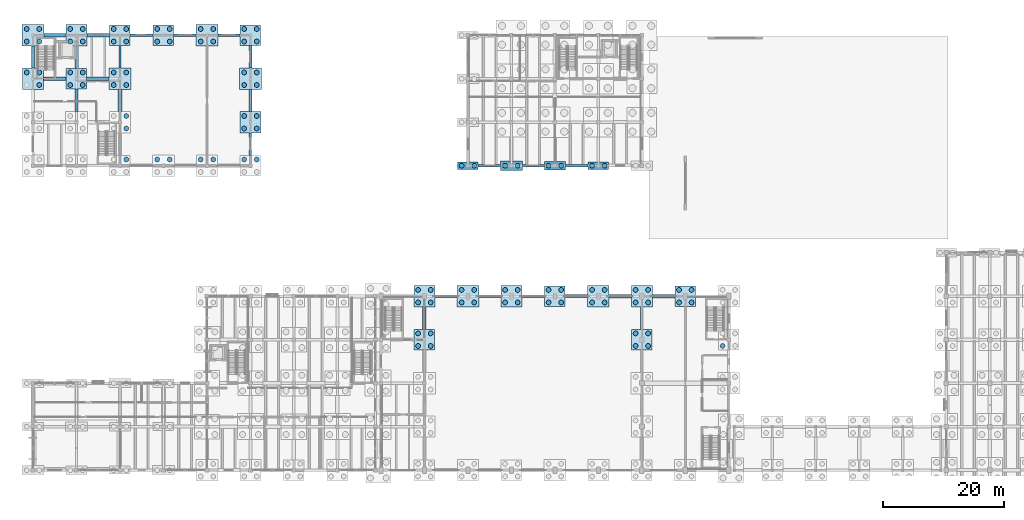
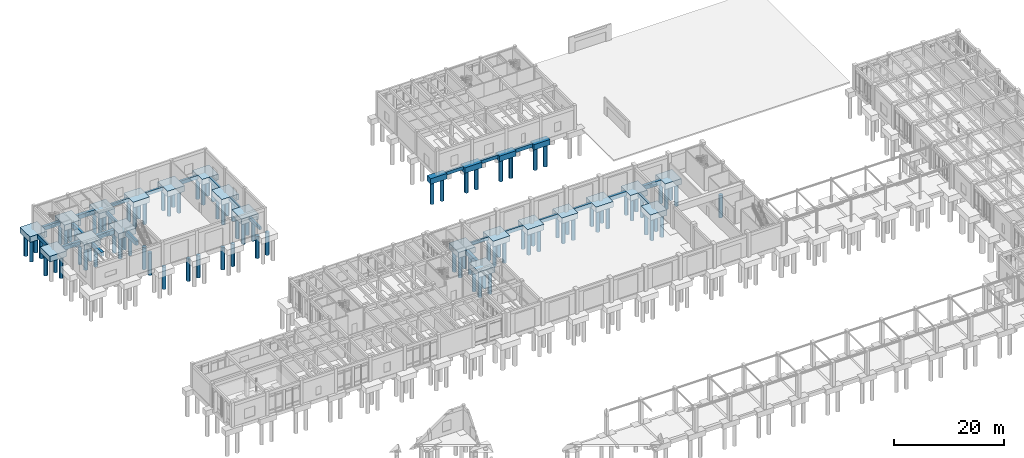
# One storey, part 6 of 93: 97 piles, 50 footings.
"""IFC4 building model written with IfcOpenShell, lengths in metres."""

from ifc_helpers import new_model, si_unit, direction, frame, origin, origin_2d, place, context, subcontext, project, spatial, rectangle, circle, extrude, material, material_profile, profile_set, type_object, element, save


model = new_model("IFC4")

# Units and contexts
model_context = context("Model", 3, precision=1e-05, world=origin(), true_north=direction((0.0, 1.0)))
body_context = subcontext(model_context, "Body", "Model", "MODEL_VIEW")
ifc_project = project(units=[si_unit("LENGTHUNIT", "METRE"), si_unit("AREAUNIT", "SQUARE_METRE"), si_unit("VOLUMEUNIT", "CUBIC_METRE"), si_unit("PLANEANGLEUNIT", "RADIAN"), si_unit("MASSUNIT", "GRAM", prefix="KILO")], contexts=[model_context])

# Site, building, storey
site_placement = place(None, origin())
site = spatial("IfcSite", under=ifc_project, at=site_placement, CompositionType="ELEMENT")
building_placement = place(site_placement, origin())
building = spatial("IfcBuilding", under=site, at=building_placement, Name="Koriwan Promenade Central Fire Station", CompositionType="ELEMENT")
storey_placement = place(building_placement, origin())
storey = spatial("IfcBuildingStorey", under=building, at=storey_placement, Name="L00", CompositionType="ELEMENT", Elevation=0.0)

# Piles
ifc_material = material(Name="Concrete C35/45", Category="concrete")
ifc_material_profile = material_profile(ifc_material, circle(Radius=0.39990234375, at=origin_2d()), Name="PILE-D800")
ifc_profile_set = profile_set([ifc_material_profile], Name="Concrete C35/45")
pile_type = type_object("IfcPileType", Name="BoredPile_800", PredefinedType="BORED", material=ifc_profile_set)
for number, where, z_axis, x_axis, name in (
    (1, (-1.0400390625, 109.0400390625, -1.10009765625), (0.0, 0.0, -1.0), (1.0, 0.0, 0.0), "Bored pile PCAP_010-12"),
    (2, (1.0400390625, 106.9599609375, -1.10009765625), (0.0, 0.0, -1.0), (1.0, 0.0, 0.0), "Bored pile PCAP_010-21"),
    (3, (1.0400390625, 109.0400390625, -1.10009765625), (0.0, 0.0, -1.0), (1.0, 0.0, 0.0), "Bored pile PCAP_010-22"),
    (4, (-1.0400390625, 114.159912109375, -1.10009765625), (0.0, 0.0, -1.0), (1.0, 0.0, 0.0), "Bored pile PCAP_011-11"),
    (5, (-1.0400390625, 116.239990234375, -1.10009765625), (0.0, 0.0, -1.0), (1.0, 0.0, 0.0), "Bored pile PCAP_011-12"),
    (6, (1.0400390625, 114.159912109375, -1.10009765625), (0.0, 0.0, -1.0), (1.0, 0.0, 0.0), "Bored pile PCAP_011-21"),
    (7, (1.0400390625, 116.239990234375, -1.10009765625), (0.0, 0.0, -1.0), (1.0, 0.0, 0.0), "Bored pile PCAP_011-22"),
    (8, (6.159912109375, 106.9599609375, -1.10009765625), (0.0, 0.0, -1.0), (1.0, 0.0, 0.0), "Bored pile PCAP_021-11"),
    (9, (6.159912109375, 109.0400390625, -1.10009765625), (0.0, 0.0, -1.0), (1.0, 0.0, 0.0), "Bored pile PCAP_021-12"),
    (10, (8.239990234375, 106.9599609375, -1.10009765625), (0.0, 0.0, -1.0), (1.0, 0.0, 0.0), "Bored pile PCAP_021-21"),
    (11, (8.239990234375, 109.0400390625, -1.10009765625), (0.0, 0.0, -1.0), (1.0, 0.0, 0.0), "Bored pile PCAP_021-22"),
    (12, (6.159912109375, 114.159912109375, -1.10009765625), (0.0, 0.0, -1.0), (1.0, 0.0, 0.0), "Bored pile PCAP_022-11"),
    (13, (6.159912109375, 116.239990234375, -1.10009765625), (0.0, 0.0, -1.0), (1.0, 0.0, 0.0), "Bored pile PCAP_022-12"),
    (14, (8.239990234375, 114.159912109375, -1.10009765625), (0.0, 0.0, -1.0), (1.0, 0.0, 0.0), "Bored pile PCAP_022-21"),
    (15, (8.239990234375, 116.239990234375, -1.10009765625), (0.0, 0.0, -1.0), (1.0, 0.0, 0.0), "Bored pile PCAP_022-22"),
    (16, (15.43994140625, 94.639892578125, -1.10009765625), (0.0, 0.0, -1.0), (1.0, 0.0, 0.0), "Bored pile PCAP_030-22"),
    (17, (15.43994140625, 99.760009765625, -1.10009765625), (0.0, 0.0, -1.0), (1.0, 0.0, 0.0), "Bored pile PCAP_031-21"),
    (18, (15.43994140625, 101.840087890625, -1.10009765625), (0.0, 0.0, -1.0), (1.0, 0.0, 0.0), "Bored pile PCAP_031-22"),
    (19, (13.360107421875, 106.9599609375, -1.10009765625), (0.0, 0.0, -1.0), (1.0, 0.0, 0.0), "Bored pile PCAP_032-11"),
    (20, (13.360107421875, 109.0400390625, -1.10009765625), (0.0, 0.0, -1.0), (1.0, 0.0, 0.0), "Bored pile PCAP_032-12"),
    (21, (15.43994140625, 106.9599609375, -1.10009765625), (0.0, 0.0, -1.0), (1.0, 0.0, 0.0), "Bored pile PCAP_032-21"),
    (22, (15.43994140625, 109.0400390625, -1.10009765625), (0.0, 0.0, -1.0), (1.0, 0.0, 0.0), "Bored pile PCAP_032-22"),
    (23, (13.360107421875, 114.159912109375, -1.10009765625), (0.0, 0.0, -1.0), (1.0, 0.0, 0.0), "Bored pile PCAP_033-11"),
    (24, (13.360107421875, 116.239990234375, -1.10009765625), (0.0, 0.0, -1.0), (1.0, 0.0, 0.0), "Bored pile PCAP_033-12"),
    (25, (15.43994140625, 114.159912109375, -1.10009765625), (0.0, 0.0, -1.0), (1.0, 0.0, 0.0), "Bored pile PCAP_033-21"),
    (26, (15.43994140625, 116.239990234375, -1.10009765625), (0.0, 0.0, -1.0), (1.0, 0.0, 0.0), "Bored pile PCAP_033-22"),
    (27, (20.56005859375, 94.639892578125, -1.10009765625), (0.0, 0.0, -1.0), (1.0, 0.0, 0.0), "Bored pile PCAP_041-12"),
    (28, (22.639892578125, 94.639892578125, -1.10009765625), (0.0, 0.0, -1.0), (1.0, 0.0, 0.0), "Bored pile PCAP_041-22"),
    (29, (20.56005859375, 114.159912109375, -1.10009765625), (0.0, 0.0, -1.0), (1.0, 0.0, 0.0), "Bored pile PCAP_042-11"),
    (30, (20.56005859375, 116.239990234375, -1.10009765625), (0.0, 0.0, -1.0), (1.0, 0.0, 0.0), "Bored pile PCAP_042-12"),
    (31, (22.639892578125, 114.159912109375, -1.10009765625), (0.0, 0.0, -1.0), (1.0, 0.0, 0.0), "Bored pile PCAP_042-21"),
    (32, (22.639892578125, 116.239990234375, -1.10009765625), (0.0, 0.0, -1.0), (1.0, 0.0, 0.0), "Bored pile PCAP_042-22"),
    (33, (27.760009765625, 94.639892578125, -1.10009765625), (0.0, 0.0, -1.0), (1.0, 0.0, 0.0), "Bored pile PCAP_052-12"),
    (34, (29.840087890625, 94.639892578125, -1.10009765625), (0.0, 0.0, -1.0), (1.0, 0.0, 0.0), "Bored pile PCAP_052-22"),
    (35, (27.760009765625, 114.159912109375, -1.10009765625), (0.0, 0.0, -1.0), (1.0, 0.0, 0.0), "Bored pile PCAP_053-11"),
    (36, (27.760009765625, 116.239990234375, -1.10009765625), (0.0, 0.0, -1.0), (1.0, 0.0, 0.0), "Bored pile PCAP_053-12"),
    (37, (29.840087890625, 114.159912109375, -1.10009765625), (0.0, 0.0, -1.0), (1.0, 0.0, 0.0), "Bored pile PCAP_053-21"),
    (38, (29.840087890625, 116.239990234375, -1.10009765625), (0.0, 0.0, -1.0), (1.0, 0.0, 0.0), "Bored pile PCAP_053-22"),
    (39, (34.9599609375, 94.639892578125, -1.10009765625), (0.0, 0.0, -1.0), (1.0, 0.0, 0.0), "Bored pile PCAP_063-12"),
    (40, (37.0400390625, 94.639892578125, -1.10009765625), (0.0, 0.0, -1.0), (1.0, 0.0, 0.0), "Bored pile PCAP_063-22"),
    (41, (34.9599609375, 99.760009765625, -1.10009765625), (0.0, 0.0, -1.0), (1.0, 0.0, 0.0), "Bored pile PCAP_064-11"),
    (42, (34.9599609375, 101.840087890625, -1.10009765625), (0.0, 0.0, -1.0), (1.0, 0.0, 0.0), "Bored pile PCAP_064-12"),
    (43, (37.0400390625, 99.760009765625, -1.10009765625), (0.0, 0.0, -1.0), (1.0, 0.0, 0.0), "Bored pile PCAP_064-21"),
    (44, (37.0400390625, 101.840087890625, -1.10009765625), (0.0, 0.0, -1.0), (1.0, 0.0, 0.0), "Bored pile PCAP_064-22"),
    (45, (34.9599609375, 106.9599609375, -1.10009765625), (0.0, 0.0, -1.0), (1.0, 0.0, 0.0), "Bored pile PCAP_065-11"),
    (46, (34.9599609375, 109.0400390625, -1.10009765625), (0.0, 0.0, -1.0), (1.0, 0.0, 0.0), "Bored pile PCAP_065-12"),
    (47, (37.0400390625, 106.9599609375, -1.10009765625), (0.0, 0.0, -1.0), (1.0, 0.0, 0.0), "Bored pile PCAP_065-21"),
    (48, (37.0400390625, 109.0400390625, -1.10009765625), (0.0, 0.0, -1.0), (1.0, 0.0, 0.0), "Bored pile PCAP_065-22"),
    (49, (34.9599609375, 114.159912109375, -1.10009765625), (0.0, 0.0, -1.0), (1.0, 0.0, 0.0), "Bored pile PCAP_066-11"),
    (50, (34.9599609375, 116.239990234375, -1.10009765625), (0.0, 0.0, -1.0), (1.0, 0.0, 0.0), "Bored pile PCAP_066-12"),
    (51, (37.0400390625, 114.159912109375, -1.10009765625), (0.0, 0.0, -1.0), (1.0, 0.0, 0.0), "Bored pile PCAP_066-21"),
    (52, (37.0400390625, 116.239990234375, -1.10009765625), (0.0, 0.0, -1.0), (1.0, 0.0, 0.0), "Bored pile PCAP_066-22"),
    (53, (63.760009765625, 63.760009765625, -1.10009765625), (0.0, 0.0, -1.0), (1.0, 0.0, 0.0), "Bored pile PCAP_093-11"),
    (54, (63.760009765625, 65.840087890625, -1.10009765625), (0.0, 0.0, -1.0), (1.0, 0.0, 0.0), "Bored pile PCAP_093-12"),
    (55, (65.840087890625, 63.760009765625, -1.10009765625), (0.0, 0.0, -1.0), (1.0, 0.0, 0.0), "Bored pile PCAP_093-21"),
    (56, (65.840087890625, 65.840087890625, -1.10009765625), (0.0, 0.0, -1.0), (1.0, 0.0, 0.0), "Bored pile PCAP_093-22"),
    (57, (63.760009765625, 70.9599609375, -1.10009765625), (0.0, 0.0, -1.0), (1.0, 0.0, 0.0), "Bored pile PCAP_094-11"),
    (58, (63.760009765625, 73.0400390625, -1.10009765625), (0.0, 0.0, -1.0), (1.0, 0.0, 0.0), "Bored pile PCAP_094-12"),
    (59, (65.840087890625, 70.9599609375, -1.10009765625), (0.0, 0.0, -1.0), (1.0, 0.0, 0.0), "Bored pile PCAP_094-21"),
    (60, (65.840087890625, 73.0400390625, -1.10009765625), (0.0, 0.0, -1.0), (1.0, 0.0, 0.0), "Bored pile PCAP_094-22"),
    (61, (70.9599609375, 70.9599609375, -1.10009765625), (0.0, 0.0, -1.0), (1.0, 0.0, 0.0), "Bored pile PCAP_098-11"),
    (62, (70.9599609375, 73.0400390625, -1.10009765625), (0.0, 0.0, -1.0), (1.0, 0.0, 0.0), "Bored pile PCAP_098-12"),
    (63, (73.0400390625, 70.9599609375, -1.10009765625), (0.0, 0.0, -1.0), (1.0, 0.0, 0.0), "Bored pile PCAP_098-21"),
    (64, (73.0400390625, 73.0400390625, -1.10009765625), (0.0, 0.0, -1.0), (1.0, 0.0, 0.0), "Bored pile PCAP_098-22"),
):
    element("IfcPile", number, at=place(storey_placement, frame(where, z_axis=z_axis, x_axis=x_axis)), inside=storey, type_object=pile_type, Name=name, PredefinedType="BORED", context=body_context, shape_type="SweptSolid", body=[
        extrude(circle(Radius=0.39990234375, at=origin_2d()), origin(), (0.0, 0.0, 1.0), 4.949951171875),
    ])
for number, where, z_axis, x_axis, name in (
    (65, (70.9599609375, 93.60009765625, -1.050048828125), (0.0, 0.0, -1.0), (1.0, 0.0, 0.0), "Bored pile PCAP_099-11"),
    (66, (73.0400390625, 93.60009765625, -1.050048828125), (0.0, 0.0, -1.0), (1.0, 0.0, 0.0), "Bored pile PCAP_099-21"),
):
    element("IfcPile", number, at=place(storey_placement, frame(where, z_axis=z_axis, x_axis=x_axis)), inside=storey, type_object=pile_type, Name=name, PredefinedType="BORED", context=body_context, shape_type="SweptSolid", body=[
        extrude(circle(Radius=0.39990234375, at=origin_2d()), origin(), (0.0, 0.0, 1.0), 5.0),
    ])
for number, where, z_axis, x_axis, name in (
    (67, (78.159912109375, 70.9599609375, -1.10009765625), (0.0, 0.0, -1.0), (1.0, 0.0, 0.0), "Bored pile PCAP_106-11"),
    (68, (78.159912109375, 73.0400390625, -1.10009765625), (0.0, 0.0, -1.0), (1.0, 0.0, 0.0), "Bored pile PCAP_106-12"),
    (69, (80.239990234375, 70.9599609375, -1.10009765625), (0.0, 0.0, -1.0), (1.0, 0.0, 0.0), "Bored pile PCAP_106-21"),
    (70, (80.239990234375, 73.0400390625, -1.10009765625), (0.0, 0.0, -1.0), (1.0, 0.0, 0.0), "Bored pile PCAP_106-22"),
):
    element("IfcPile", number, at=place(storey_placement, frame(where, z_axis=z_axis, x_axis=x_axis)), inside=storey, type_object=pile_type, Name=name, PredefinedType="BORED", context=body_context, shape_type="SweptSolid", body=[
        extrude(circle(Radius=0.39990234375, at=origin_2d()), origin(), (0.0, 0.0, 1.0), 4.949951171875),
    ])
for number, where, z_axis, x_axis, name in (
    (71, (78.159912109375, 93.60009765625, -1.050048828125), (0.0, 0.0, -1.0), (1.0, 0.0, 0.0), "Bored pile PCAP_107-11"),
    (72, (80.239990234375, 93.60009765625, -1.050048828125), (0.0, 0.0, -1.0), (1.0, 0.0, 0.0), "Bored pile PCAP_107-21"),
):
    element("IfcPile", number, at=place(storey_placement, frame(where, z_axis=z_axis, x_axis=x_axis)), inside=storey, type_object=pile_type, Name=name, PredefinedType="BORED", context=body_context, shape_type="SweptSolid", body=[
        extrude(circle(Radius=0.39990234375, at=origin_2d()), origin(), (0.0, 0.0, 1.0), 5.0),
    ])
for number, where, z_axis, x_axis, name in (
    (73, (85.360107421875, 70.9599609375, -1.10009765625), (0.0, 0.0, -1.0), (1.0, 0.0, 0.0), "Bored pile PCAP_114-11"),
    (74, (85.360107421875, 73.0400390625, -1.10009765625), (0.0, 0.0, -1.0), (1.0, 0.0, 0.0), "Bored pile PCAP_114-12"),
    (75, (87.43994140625, 70.9599609375, -1.10009765625), (0.0, 0.0, -1.0), (1.0, 0.0, 0.0), "Bored pile PCAP_114-21"),
    (76, (87.43994140625, 73.0400390625, -1.10009765625), (0.0, 0.0, -1.0), (1.0, 0.0, 0.0), "Bored pile PCAP_114-22"),
):
    element("IfcPile", number, at=place(storey_placement, frame(where, z_axis=z_axis, x_axis=x_axis)), inside=storey, type_object=pile_type, Name=name, PredefinedType="BORED", context=body_context, shape_type="SweptSolid", body=[
        extrude(circle(Radius=0.39990234375, at=origin_2d()), origin(), (0.0, 0.0, 1.0), 4.949951171875),
    ])
for number, where, z_axis, x_axis, name in (
    (77, (85.360107421875, 93.60009765625, -1.050048828125), (0.0, 0.0, -1.0), (1.0, 0.0, 0.0), "Bored pile PCAP_115-11"),
    (78, (87.43994140625, 93.60009765625, -1.050048828125), (0.0, 0.0, -1.0), (1.0, 0.0, 0.0), "Bored pile PCAP_115-21"),
):
    element("IfcPile", number, at=place(storey_placement, frame(where, z_axis=z_axis, x_axis=x_axis)), inside=storey, type_object=pile_type, Name=name, PredefinedType="BORED", context=body_context, shape_type="SweptSolid", body=[
        extrude(circle(Radius=0.39990234375, at=origin_2d()), origin(), (0.0, 0.0, 1.0), 5.0),
    ])
for number, where, z_axis, x_axis, name in (
    (79, (92.56005859375, 70.9599609375, -1.10009765625), (0.0, 0.0, -1.0), (1.0, 0.0, 0.0), "Bored pile PCAP_122-11"),
    (80, (92.56005859375, 73.0400390625, -1.10009765625), (0.0, 0.0, -1.0), (1.0, 0.0, 0.0), "Bored pile PCAP_122-12"),
    (81, (94.639892578125, 70.9599609375, -1.10009765625), (0.0, 0.0, -1.0), (1.0, 0.0, 0.0), "Bored pile PCAP_122-21"),
    (82, (94.639892578125, 73.0400390625, -1.10009765625), (0.0, 0.0, -1.0), (1.0, 0.0, 0.0), "Bored pile PCAP_122-22"),
):
    element("IfcPile", number, at=place(storey_placement, frame(where, z_axis=z_axis, x_axis=x_axis)), inside=storey, type_object=pile_type, Name=name, PredefinedType="BORED", context=body_context, shape_type="SweptSolid", body=[
        extrude(circle(Radius=0.39990234375, at=origin_2d()), origin(), (0.0, 0.0, 1.0), 4.949951171875),
    ])
for number, where, z_axis, x_axis, name in (
    (83, (92.56005859375, 93.60009765625, -1.050048828125), (0.0, 0.0, -1.0), (1.0, 0.0, 0.0), "Bored pile PCAP_123-11"),
    (84, (94.639892578125, 93.60009765625, -1.050048828125), (0.0, 0.0, -1.0), (1.0, 0.0, 0.0), "Bored pile PCAP_123-21"),
):
    element("IfcPile", number, at=place(storey_placement, frame(where, z_axis=z_axis, x_axis=x_axis)), inside=storey, type_object=pile_type, Name=name, PredefinedType="BORED", context=body_context, shape_type="SweptSolid", body=[
        extrude(circle(Radius=0.39990234375, at=origin_2d()), origin(), (0.0, 0.0, 1.0), 5.0),
    ])
for number, where, z_axis, x_axis, name in (
    (85, (99.760009765625, 63.760009765625, -1.10009765625), (0.0, 0.0, -1.0), (1.0, 0.0, 0.0), "Bored pile PCAP_132-11"),
    (86, (99.760009765625, 65.840087890625, -1.10009765625), (0.0, 0.0, -1.0), (1.0, 0.0, 0.0), "Bored pile PCAP_132-12"),
    (87, (101.840087890625, 63.760009765625, -1.10009765625), (0.0, 0.0, -1.0), (1.0, 0.0, 0.0), "Bored pile PCAP_132-21"),
    (88, (101.840087890625, 65.840087890625, -1.10009765625), (0.0, 0.0, -1.0), (1.0, 0.0, 0.0), "Bored pile PCAP_132-22"),
    (89, (99.760009765625, 70.9599609375, -1.10009765625), (0.0, 0.0, -1.0), (1.0, 0.0, 0.0), "Bored pile PCAP_133-11"),
    (90, (99.760009765625, 73.0400390625, -1.10009765625), (0.0, 0.0, -1.0), (1.0, 0.0, 0.0), "Bored pile PCAP_133-12"),
    (91, (101.840087890625, 70.9599609375, -1.10009765625), (0.0, 0.0, -1.0), (1.0, 0.0, 0.0), "Bored pile PCAP_133-21"),
    (92, (101.840087890625, 73.0400390625, -1.10009765625), (0.0, 0.0, -1.0), (1.0, 0.0, 0.0), "Bored pile PCAP_133-22"),
    (93, (106.9599609375, 70.9599609375, -1.10009765625), (0.0, 0.0, -1.0), (1.0, 0.0, 0.0), "Bored pile PCAP_141-11"),
    (94, (106.9599609375, 73.0400390625, -1.10009765625), (0.0, 0.0, -1.0), (1.0, 0.0, 0.0), "Bored pile PCAP_141-12"),
    (95, (109.0400390625, 70.9599609375, -1.10009765625), (0.0, 0.0, -1.0), (1.0, 0.0, 0.0), "Bored pile PCAP_141-21"),
    (96, (109.0400390625, 73.0400390625, -1.10009765625), (0.0, 0.0, -1.0), (1.0, 0.0, 0.0), "Bored pile PCAP_141-22"),
    (97, (114.159912109375, 63.760009765625, -1.10009765625), (0.0, 0.0, -1.0), (1.0, 0.0, 0.0), "Bored pile PCAP_147-11"),
):
    element("IfcPile", number, at=place(storey_placement, frame(where, z_axis=z_axis, x_axis=x_axis)), inside=storey, type_object=pile_type, Name=name, PredefinedType="BORED", context=body_context, shape_type="SweptSolid", body=[
        extrude(circle(Radius=0.39990234375, at=origin_2d()), origin(), (0.0, 0.0, 1.0), 4.949951171875),
    ])

# Footings
footing_type_1 = type_object("IfcFootingType", Name="GroundTieBeam_400x700", PredefinedType="FOOTING_BEAM", material=ifc_material)
footing_1_placement = place(storey_placement, frame((68.375, 72.0, -0.7001953125), z_axis=(0.0, 0.0, 1.0), x_axis=(1.0, 0.0, 0.0)))
element("IfcFooting", 98, at=footing_1_placement, inside=storey, type_object=footing_type_1, Name="Seismic tie beam X-138", PredefinedType="FOOTING_BEAM", context=body_context, shape_type="SweptSolid", body=[
    extrude(rectangle(XDim=3.64990234375, YDim=0.39990234375, at=origin_2d()), origin(), (0.0, 0.0, 1.0), 0.699951171875),
])
footing_2_placement = place(storey_placement, frame((75.550048828125, 93.60009765625, -0.7001953125), z_axis=(0.0, 0.0, 1.0), x_axis=(1.0, 0.0, 0.0)))
element("IfcFooting", 99, at=footing_2_placement, inside=storey, type_object=footing_type_1, Name="Seismic tie beam X-156", PredefinedType="FOOTING_BEAM", context=body_context, shape_type="SweptSolid", body=[
    extrude(rectangle(XDim=3.699951171875, YDim=0.39990234375, at=origin_2d()), origin(), (0.0, 0.0, 1.0), 0.699951171875),
])
footing_3_placement = place(storey_placement, frame((18.0, 115.199951171875, -0.7001953125), z_axis=(0.0, 0.0, 1.0), x_axis=(1.0, 0.0, 0.0)))
element("IfcFooting", 100, at=footing_3_placement, inside=storey, type_object=footing_type_1, Name="Seismic tie beam X-174", PredefinedType="FOOTING_BEAM", context=body_context, shape_type="SweptSolid", body=[
    extrude(rectangle(XDim=3.800048828125, YDim=0.39990234375, at=origin_2d()), origin(), (0.0, 0.0, 1.0), 0.699951171875),
])
footing_4_placement = place(storey_placement, frame((14.39990234375, 111.64990234375, -0.7001953125), z_axis=(0.0, 0.0, 1.0), x_axis=(0.0, 1.0, 0.0)))
element("IfcFooting", 101, at=footing_4_placement, inside=storey, type_object=footing_type_1, Name="Seismic tie beam Y-204", PredefinedType="FOOTING_BEAM", context=body_context, shape_type="SweptSolid", body=[
    extrude(rectangle(XDim=3.699951171875, YDim=0.39990234375, at=origin_2d()), origin(), (0.0, 0.0, 1.0), 0.699951171875),
])
footing_5_placement = place(storey_placement, frame((36.0, 97.175048828125, -0.7001953125), z_axis=(0.0, 0.0, 1.0), x_axis=(0.0, 1.0, 0.0)))
element("IfcFooting", 102, at=footing_5_placement, inside=storey, type_object=footing_type_1, Name="Seismic tie beam Y-222", PredefinedType="FOOTING_BEAM", context=body_context, shape_type="SweptSolid", body=[
    extrude(rectangle(XDim=3.75, YDim=0.39990234375, at=origin_2d()), origin(), (0.0, 0.0, 1.0), 0.699951171875),
])
footing_type_2 = type_object("IfcFootingType", Name="GroundTieBeam_450x750", PredefinedType="FOOTING_BEAM", material=ifc_material)
for number, where, z_axis, x_axis, name in (
    (103, (75.625, 72.0, -0.75), (0.0, 0.0, 1.0), (1.0, 0.0, 0.0), "Seismic tie beam X-139"),
    (104, (82.824951171875, 93.60009765625, -0.75), (0.0, 0.0, 1.0), (1.0, 0.0, 0.0), "Seismic tie beam X-157"),
):
    element("IfcFooting", number, at=place(storey_placement, frame(where, z_axis=z_axis, x_axis=x_axis)), inside=storey, type_object=footing_type_2, Name=name, PredefinedType="FOOTING_BEAM", context=body_context, shape_type="SweptSolid", body=[
        extrude(rectangle(XDim=3.64990234375, YDim=0.449951171875, at=origin_2d()), origin(), (0.0, 0.0, 1.0), 0.75),
    ])
footing_6_placement = place(storey_placement, frame((25.14990234375, 115.199951171875, -0.75), z_axis=(0.0, 0.0, 1.0), x_axis=(1.0, 0.0, 0.0)))
element("IfcFooting", 105, at=footing_6_placement, inside=storey, type_object=footing_type_2, Name="Seismic tie beam X-175", PredefinedType="FOOTING_BEAM", context=body_context, shape_type="SweptSolid", body=[
    extrude(rectangle(XDim=3.699951171875, YDim=0.449951171875, at=origin_2d()), origin(), (0.0, 0.0, 1.0), 0.75),
])
footing_7_placement = place(storey_placement, frame((36.0, 104.375, -0.75), z_axis=(0.0, 0.0, 1.0), x_axis=(0.0, 1.0, 0.0)))
element("IfcFooting", 106, at=footing_7_placement, inside=storey, type_object=footing_type_2, Name="Seismic tie beam Y-223", PredefinedType="FOOTING_BEAM", context=body_context, shape_type="SweptSolid", body=[
    extrude(rectangle(XDim=3.64990234375, YDim=0.449951171875, at=origin_2d()), origin(), (0.0, 0.0, 1.0), 0.75),
])
footing_type_3 = type_object("IfcFootingType", Name="GroundTieBeam_450x800", PredefinedType="FOOTING_BEAM", material=ifc_material)
for number, where, z_axis, x_axis, name in (
    (107, (82.824951171875, 72.0, -0.7998046875), (0.0, 0.0, 1.0), (1.0, 0.0, 0.0), "Seismic tie beam X-140"),
    (108, (90.02490234375, 93.60009765625, -0.7998046875), (0.0, 0.0, 1.0), (1.0, 0.0, 0.0), "Seismic tie beam X-158"),
):
    element("IfcFooting", number, at=place(storey_placement, frame(where, z_axis=z_axis, x_axis=x_axis)), inside=storey, type_object=footing_type_3, Name=name, PredefinedType="FOOTING_BEAM", context=body_context, shape_type="SweptSolid", body=[
        extrude(rectangle(XDim=3.75, YDim=0.449951171875, at=origin_2d()), origin(), (0.0, 0.0, 1.0), 0.800048828125),
    ])
footing_8_placement = place(storey_placement, frame((32.449951171875, 115.199951171875, -0.7998046875), z_axis=(0.0, 0.0, 1.0), x_axis=(1.0, 0.0, 0.0)))
element("IfcFooting", 109, at=footing_8_placement, inside=storey, type_object=footing_type_3, Name="Seismic tie beam X-176", PredefinedType="FOOTING_BEAM", context=body_context, shape_type="SweptSolid", body=[
    extrude(rectangle(XDim=3.699951171875, YDim=0.449951171875, at=origin_2d()), origin(), (0.0, 0.0, 1.0), 0.800048828125),
])
footing_9_placement = place(storey_placement, frame((0.0, 111.574951171875, -0.7998046875), z_axis=(0.0, 0.0, 1.0), x_axis=(0.0, 1.0, 0.0)))
element("IfcFooting", 110, at=footing_9_placement, inside=storey, type_object=footing_type_3, Name="Seismic tie beam Y-188", PredefinedType="FOOTING_BEAM", context=body_context, shape_type="SweptSolid", body=[
    extrude(rectangle(XDim=3.64990234375, YDim=0.449951171875, at=origin_2d()), origin(), (0.0, 0.0, 1.0), 0.800048828125),
])
footing_10_placement = place(storey_placement, frame((36.0, 111.64990234375, -0.7998046875), z_axis=(0.0, 0.0, 1.0), x_axis=(0.0, 1.0, 0.0)))
element("IfcFooting", 111, at=footing_10_placement, inside=storey, type_object=footing_type_3, Name="Seismic tie beam Y-224", PredefinedType="FOOTING_BEAM", context=body_context, shape_type="SweptSolid", body=[
    extrude(rectangle(XDim=3.699951171875, YDim=0.449951171875, at=origin_2d()), origin(), (0.0, 0.0, 1.0), 0.800048828125),
])
footing_11_placement = place(storey_placement, frame((100.800048828125, 68.375, -0.7998046875), z_axis=(0.0, 0.0, 1.0), x_axis=(0.0, 1.0, 0.0)))
element("IfcFooting", 112, at=footing_11_placement, inside=storey, type_object=footing_type_3, Name="Seismic tie beam Y-266", PredefinedType="FOOTING_BEAM", context=body_context, shape_type="SweptSolid", body=[
    extrude(rectangle(XDim=3.75, YDim=0.449951171875, at=origin_2d()), origin(), (0.0, 0.0, 1.0), 0.800048828125),
])
footing_type_4 = type_object("IfcFootingType", Name="GroundTieBeam_500x850", PredefinedType="FOOTING_BEAM", material=ifc_material)
for number, where, z_axis, x_axis, name in (
    (113, (89.949951171875, 72.0, -0.85009765625), (0.0, 0.0, 1.0), (1.0, 0.0, 0.0), "Seismic tie beam X-141"),
    (114, (7.199951171875, 104.449951171875, -0.85009765625), (0.0, 0.0, 1.0), (0.0, 1.0, 0.0), "Seismic tie beam Y-195"),
):
    element("IfcFooting", number, at=place(storey_placement, frame(where, z_axis=z_axis, x_axis=x_axis)), inside=storey, type_object=footing_type_4, Name=name, PredefinedType="FOOTING_BEAM", context=body_context, shape_type="SweptSolid", body=[
        extrude(rectangle(XDim=3.699951171875, YDim=0.5, at=origin_2d()), origin(), (0.0, 0.0, 1.0), 0.85009765625),
    ])
footing_type_5 = type_object("IfcFootingType", Name="GroundTieBeam_550x900", PredefinedType="FOOTING_BEAM", material=ifc_material)
footing_12_placement = place(storey_placement, frame((97.22509765625, 72.0, -0.89990234375), z_axis=(0.0, 0.0, 1.0), x_axis=(1.0, 0.0, 0.0)))
element("IfcFooting", 115, at=footing_12_placement, inside=storey, type_object=footing_type_5, Name="Seismic tie beam X-142", PredefinedType="FOOTING_BEAM", context=body_context, shape_type="SweptSolid", body=[
    extrude(rectangle(XDim=3.64990234375, YDim=0.550048828125, at=origin_2d()), origin(), (0.0, 0.0, 1.0), 0.89990234375),
])
footing_13_placement = place(storey_placement, frame((3.625, 108.0, -0.89990234375), z_axis=(0.0, 0.0, 1.0), x_axis=(1.0, 0.0, 0.0)))
element("IfcFooting", 116, at=footing_13_placement, inside=storey, type_object=footing_type_5, Name="Seismic tie beam X-166", PredefinedType="FOOTING_BEAM", context=body_context, shape_type="SweptSolid", body=[
    extrude(rectangle(XDim=3.75, YDim=0.550048828125, at=origin_2d()), origin(), (0.0, 0.0, 1.0), 0.89990234375),
])
footing_14_placement = place(storey_placement, frame((3.625, 115.199951171875, -0.89990234375), z_axis=(0.0, 0.0, 1.0), x_axis=(1.0, 0.0, 0.0)))
element("IfcFooting", 117, at=footing_14_placement, inside=storey, type_object=footing_type_5, Name="Seismic tie beam X-172", PredefinedType="FOOTING_BEAM", context=body_context, shape_type="SweptSolid", body=[
    extrude(rectangle(XDim=3.64990234375, YDim=0.550048828125, at=origin_2d()), origin(), (0.0, 0.0, 1.0), 0.89990234375),
])
footing_15_placement = place(storey_placement, frame((7.199951171875, 111.574951171875, -0.89990234375), z_axis=(0.0, 0.0, 1.0), x_axis=(0.0, 1.0, 0.0)))
element("IfcFooting", 118, at=footing_15_placement, inside=storey, type_object=footing_type_5, Name="Seismic tie beam Y-196", PredefinedType="FOOTING_BEAM", context=body_context, shape_type="SweptSolid", body=[
    extrude(rectangle(XDim=3.75, YDim=0.550048828125, at=origin_2d()), origin(), (0.0, 0.0, 1.0), 0.89990234375),
])
footing_type_6 = type_object("IfcFootingType", Name="GroundTieBeam_600x950", PredefinedType="FOOTING_BEAM", material=ifc_material)
footing_16_placement = place(storey_placement, frame((104.425048828125, 72.0, -0.9501953125), z_axis=(0.0, 0.0, 1.0), x_axis=(1.0, 0.0, 0.0)))
element("IfcFooting", 119, at=footing_16_placement, inside=storey, type_object=footing_type_6, Name="Seismic tie beam X-143", PredefinedType="FOOTING_BEAM", context=body_context, shape_type="SweptSolid", body=[
    extrude(rectangle(XDim=3.75, YDim=0.60009765625, at=origin_2d()), origin(), (0.0, 0.0, 1.0), 0.949951171875),
])
footing_17_placement = place(storey_placement, frame((10.75, 108.0, -0.9501953125), z_axis=(0.0, 0.0, 1.0), x_axis=(1.0, 0.0, 0.0)))
element("IfcFooting", 120, at=footing_17_placement, inside=storey, type_object=footing_type_6, Name="Seismic tie beam X-167", PredefinedType="FOOTING_BEAM", context=body_context, shape_type="SweptSolid", body=[
    extrude(rectangle(XDim=3.699951171875, YDim=0.60009765625, at=origin_2d()), origin(), (0.0, 0.0, 1.0), 0.949951171875),
])
footing_18_placement = place(storey_placement, frame((10.824951171875, 115.199951171875, -0.9501953125), z_axis=(0.0, 0.0, 1.0), x_axis=(1.0, 0.0, 0.0)))
element("IfcFooting", 121, at=footing_18_placement, inside=storey, type_object=footing_type_6, Name="Seismic tie beam X-173", PredefinedType="FOOTING_BEAM", context=body_context, shape_type="SweptSolid", body=[
    extrude(rectangle(XDim=3.75, YDim=0.60009765625, at=origin_2d()), origin(), (0.0, 0.0, 1.0), 0.949951171875),
])
footing_19_placement = place(storey_placement, frame((14.39990234375, 104.375, -0.9501953125), z_axis=(0.0, 0.0, 1.0), x_axis=(0.0, 1.0, 0.0)))
element("IfcFooting", 122, at=footing_19_placement, inside=storey, type_object=footing_type_6, Name="Seismic tie beam Y-203", PredefinedType="FOOTING_BEAM", context=body_context, shape_type="SweptSolid", body=[
    extrude(rectangle(XDim=3.64990234375, YDim=0.60009765625, at=origin_2d()), origin(), (0.0, 0.0, 1.0), 0.949951171875),
])
footing_20_placement = place(storey_placement, frame((64.800048828125, 68.375, -0.9501953125), z_axis=(0.0, 0.0, 1.0), x_axis=(0.0, 1.0, 0.0)))
element("IfcFooting", 123, at=footing_20_placement, inside=storey, type_object=footing_type_6, Name="Seismic tie beam Y-245", PredefinedType="FOOTING_BEAM", context=body_context, shape_type="SweptSolid", body=[
    extrude(rectangle(XDim=3.75, YDim=0.60009765625, at=origin_2d()), origin(), (0.0, 0.0, 1.0), 0.949951171875),
])
footing_type_7 = type_object("IfcFootingType", Name="PileCap_3400x1300x1200", PredefinedType="PILE_CAP", material=ifc_material)
for number, where, z_axis, x_axis, name in (
    (124, (72.0, 93.60009765625, -1.2001953125), (0.0, 0.0, 1.0), (1.0, 0.0, 0.0), "Pile cap PCAP_099 (3400x1300x1200)"),
    (125, (93.60009765625, 93.60009765625, -1.2001953125), (0.0, 0.0, 1.0), (1.0, 0.0, 0.0), "Pile cap PCAP_123 (3400x1300x1200)"),
):
    element("IfcFooting", number, at=place(storey_placement, frame(where, z_axis=z_axis, x_axis=x_axis)), inside=storey, type_object=footing_type_7, Name=name, PredefinedType="PILE_CAP", context=body_context, shape_type="SweptSolid", body=[
        extrude(rectangle(XDim=3.39990234375, YDim=1.300048828125, at=origin_2d()), origin(), (0.0, 0.0, 1.0), 1.199951171875),
    ])
footing_type_8 = type_object("IfcFootingType", Name="PileCap_3400x3400x1250", PredefinedType="PILE_CAP", material=ifc_material)
for number, where, z_axis, x_axis, name in (
    (126, (7.199951171875, 108.0, -1.25), (0.0, 0.0, 1.0), (1.0, 0.0, 0.0), "Pile cap PCAP_021 (3400x3400x1250)"),
    (127, (14.39990234375, 115.199951171875, -1.25), (0.0, 0.0, 1.0), (1.0, 0.0, 0.0), "Pile cap PCAP_033 (3400x3400x1250)"),
    (128, (21.60009765625, 115.199951171875, -1.25), (0.0, 0.0, 1.0), (1.0, 0.0, 0.0), "Pile cap PCAP_042 (3400x3400x1250)"),
    (129, (36.0, 115.199951171875, -1.25), (0.0, 0.0, 1.0), (1.0, 0.0, 0.0), "Pile cap PCAP_066 (3400x3400x1250)"),
    (130, (64.800048828125, 64.800048828125, -1.25), (0.0, 0.0, 1.0), (1.0, 0.0, 0.0), "Pile cap PCAP_093 (3400x3400x1250)"),
    (131, (86.39990234375, 72.0, -1.25), (0.0, 0.0, 1.0), (1.0, 0.0, 0.0), "Pile cap PCAP_114 (3400x3400x1250)"),
    (132, (100.800048828125, 64.800048828125, -1.25), (0.0, 0.0, 1.0), (1.0, 0.0, 0.0), "Pile cap PCAP_132 (3400x3400x1250)"),
    (133, (108.0, 72.0, -1.25), (0.0, 0.0, 1.0), (1.0, 0.0, 0.0), "Pile cap PCAP_141 (3400x3400x1250)"),
):
    element("IfcFooting", number, at=place(storey_placement, frame(where, z_axis=z_axis, x_axis=x_axis)), inside=storey, type_object=footing_type_8, Name=name, PredefinedType="PILE_CAP", context=body_context, shape_type="SweptSolid", body=[
        extrude(rectangle(XDim=3.39990234375, YDim=3.39990234375, at=origin_2d()), origin(), (0.0, 0.0, 1.0), 1.25),
    ])
footing_type_9 = type_object("IfcFootingType", Name="PileCap_3500x1400x1200", PredefinedType="PILE_CAP", material=ifc_material)
footing_21_placement = place(storey_placement, frame((86.39990234375, 93.60009765625, -1.2001953125), z_axis=(0.0, 0.0, 1.0), x_axis=(1.0, 0.0, 0.0)))
element("IfcFooting", 134, at=footing_21_placement, inside=storey, type_object=footing_type_9, Name="Pile cap PCAP_115 (3500x1400x1200)", PredefinedType="PILE_CAP", context=body_context, shape_type="SweptSolid", body=[
    extrude(rectangle(XDim=3.5, YDim=1.39990234375, at=origin_2d()), origin(), (0.0, 0.0, 1.0), 1.199951171875),
])
footing_type_10 = type_object("IfcFootingType", Name="PileCap_3500x3500x1250", PredefinedType="PILE_CAP", material=ifc_material)
for number, where, z_axis, x_axis, name in (
    (135, (0.0, 108.0, -1.25), (0.0, 0.0, 1.0), (1.0, 0.0, 0.0), "Pile cap PCAP_010 (3500x3500x1250)"),
    (136, (7.199951171875, 115.199951171875, -1.25), (0.0, 0.0, 1.0), (1.0, 0.0, 0.0), "Pile cap PCAP_022 (3500x3500x1250)"),
    (137, (36.0, 100.800048828125, -1.25), (0.0, 0.0, 1.0), (1.0, 0.0, 0.0), "Pile cap PCAP_064 (3500x3500x1250)"),
    (138, (64.800048828125, 72.0, -1.25), (0.0, 0.0, 1.0), (1.0, 0.0, 0.0), "Pile cap PCAP_094 (3500x3500x1250)"),
    (139, (79.199951171875, 72.0, -1.25), (0.0, 0.0, 1.0), (1.0, 0.0, 0.0), "Pile cap PCAP_106 (3500x3500x1250)"),
    (140, (100.800048828125, 72.0, -1.25), (0.0, 0.0, 1.0), (1.0, 0.0, 0.0), "Pile cap PCAP_133 (3500x3500x1250)"),
):
    element("IfcFooting", number, at=place(storey_placement, frame(where, z_axis=z_axis, x_axis=x_axis)), inside=storey, type_object=footing_type_10, Name=name, PredefinedType="PILE_CAP", context=body_context, shape_type="SweptSolid", body=[
        extrude(rectangle(XDim=3.5, YDim=3.5, at=origin_2d()), origin(), (0.0, 0.0, 1.0), 1.25),
    ])
footing_type_11 = type_object("IfcFootingType", Name="PileCap_3600x1500x1200", PredefinedType="PILE_CAP", material=ifc_material)
footing_22_placement = place(storey_placement, frame((79.199951171875, 93.60009765625, -1.2001953125), z_axis=(0.0, 0.0, 1.0), x_axis=(1.0, 0.0, 0.0)))
element("IfcFooting", 141, at=footing_22_placement, inside=storey, type_object=footing_type_11, Name="Pile cap PCAP_107 (3600x1500x1200)", PredefinedType="PILE_CAP", context=body_context, shape_type="SweptSolid", body=[
    extrude(rectangle(XDim=3.60009765625, YDim=1.5, at=origin_2d()), origin(), (0.0, 0.0, 1.0), 1.199951171875),
])
footing_type_12 = type_object("IfcFootingType", Name="PileCap_3600x3600x1250", PredefinedType="PILE_CAP", material=ifc_material)
for number, where, z_axis, x_axis, name in (
    (142, (0.0, 115.199951171875, -1.25), (0.0, 0.0, 1.0), (1.0, 0.0, 0.0), "Pile cap PCAP_011 (3600x3600x1250)"),
    (143, (14.39990234375, 108.0, -1.25), (0.0, 0.0, 1.0), (1.0, 0.0, 0.0), "Pile cap PCAP_032 (3600x3600x1250)"),
    (144, (28.800048828125, 115.199951171875, -1.25), (0.0, 0.0, 1.0), (1.0, 0.0, 0.0), "Pile cap PCAP_053 (3600x3600x1250)"),
    (145, (36.0, 108.0, -1.25), (0.0, 0.0, 1.0), (1.0, 0.0, 0.0), "Pile cap PCAP_065 (3600x3600x1250)"),
    (146, (72.0, 72.0, -1.25), (0.0, 0.0, 1.0), (1.0, 0.0, 0.0), "Pile cap PCAP_098 (3600x3600x1250)"),
    (147, (93.60009765625, 72.0, -1.25), (0.0, 0.0, 1.0), (1.0, 0.0, 0.0), "Pile cap PCAP_122 (3600x3600x1250)"),
):
    element("IfcFooting", number, at=place(storey_placement, frame(where, z_axis=z_axis, x_axis=x_axis)), inside=storey, type_object=footing_type_12, Name=name, PredefinedType="PILE_CAP", context=body_context, shape_type="SweptSolid", body=[
        extrude(rectangle(XDim=3.60009765625, YDim=3.60009765625, at=origin_2d()), origin(), (0.0, 0.0, 1.0), 1.25),
    ])

save(model, "model.ifc")
